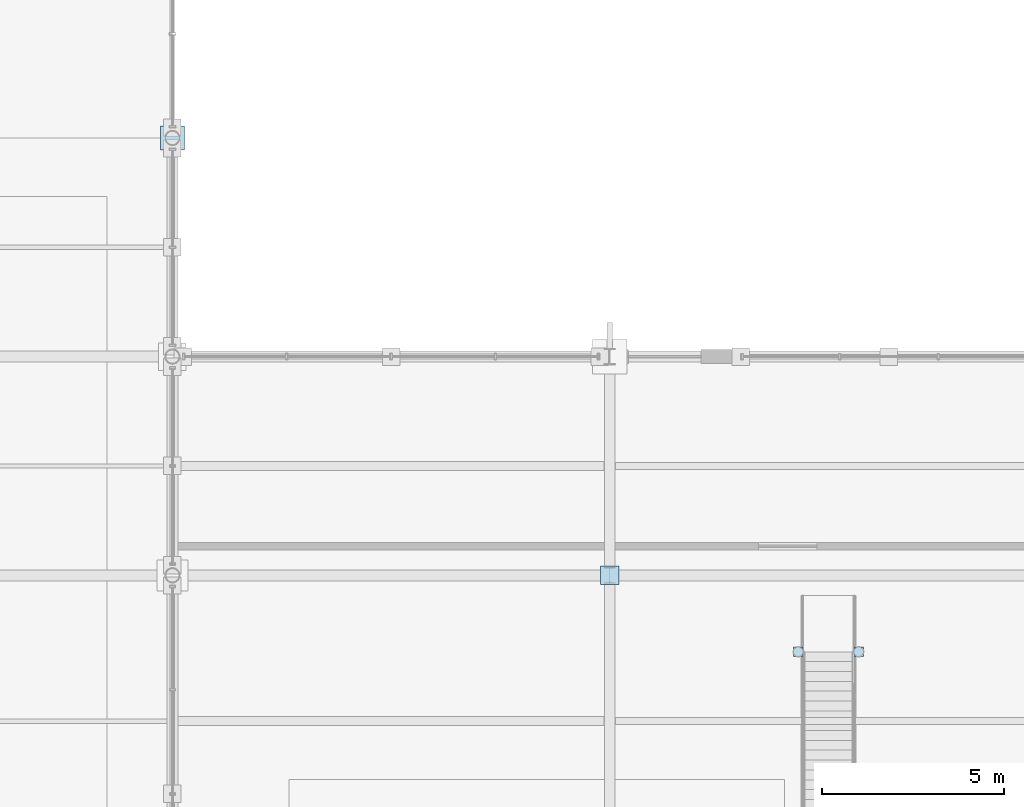
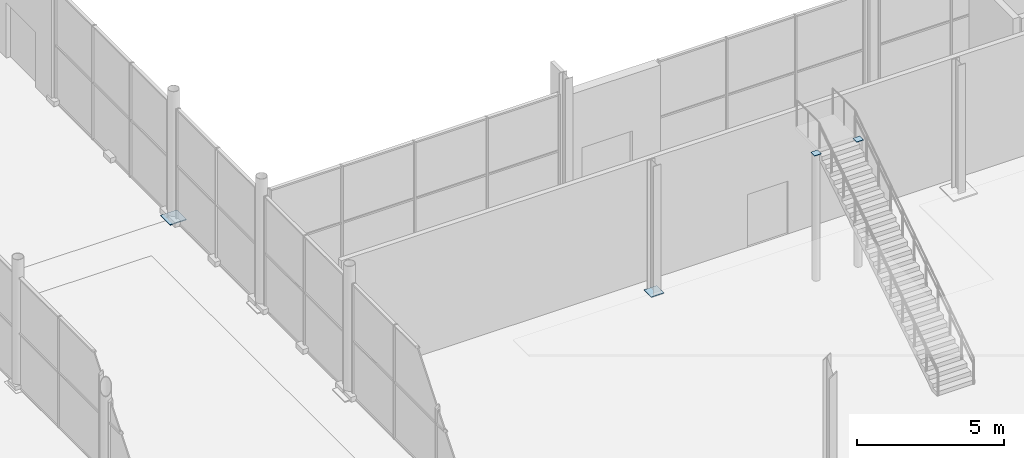
# One storey, part 159 of 196: 4 plates.
"""IFC4 building model written with IfcOpenShell, lengths in metres."""

from ifc_helpers import new_model, si_unit, direction, frame, origin, origin_2d, place, context, subcontext, project, spatial, rectangle, extrude, material, layer, layer_set, type_object, element, save


model = new_model("IFC4")

# Units and contexts
model_context = context("Model", 3, precision=1e-05, world=origin(), true_north=direction((0.0, 1.0)))
body_context = subcontext(model_context, "Body", "Model", "MODEL_VIEW")
ifc_project = project(units=[si_unit("LENGTHUNIT", "METRE"), si_unit("AREAUNIT", "SQUARE_METRE"), si_unit("VOLUMEUNIT", "CUBIC_METRE"), si_unit("PLANEANGLEUNIT", "RADIAN"), si_unit("MASSUNIT", "GRAM", prefix="KILO")], contexts=[model_context])

# Site, building, storey
site_placement = place(None, origin())
site = spatial("IfcSite", under=ifc_project, at=site_placement, CompositionType="ELEMENT")
building_placement = place(site_placement, origin())
building = spatial("IfcBuilding", under=site, at=building_placement, Name="Merenkruunu Market Hall", CompositionType="ELEMENT")
storey_placement = place(building_placement, origin())
storey = spatial("IfcBuildingStorey", under=building, at=storey_placement, Name="L00", CompositionType="ELEMENT", Elevation=0.0)

# Plates
ifc_material = material(Name="Steel S355ML", Category="steel")
ifc_layer_1 = layer(ifc_material, 0.034912109375)
ifc_layer_set_1 = layer_set([ifc_layer_1], Name="Steel S355ML")
plate_type_1 = type_object("IfcPlateType", Name="Column Base Plate BP03", PredefinedType="USERDEFINED", material=ifc_layer_set_1)
plate_1_placement = place(storey_placement, frame((76.800048828125, 51.60009765625, 0.0), z_axis=(0.0, 0.0, 1.0), x_axis=(1.0, 0.0, 0.0)))
element("IfcPlate", 1, at=plate_1_placement, inside=storey, type_object=plate_type_1, Name="PLT-BP-J-07", ObjectType="BASE_PLATE", PredefinedType="USERDEFINED", context=body_context, shape_type="SweptSolid", body=[
    extrude(rectangle(XDim=0.64990234375, YDim=0.64990234375, at=origin_2d()), origin(), (0.0, 0.0, 1.0), 0.034912109375),
])
ifc_layer_2 = layer(ifc_material, 0.028076171875)
ifc_layer_set_2 = layer_set([ifc_layer_2], Name="Steel S355ML")
plate_type_2 = type_object("IfcPlateType", Name="Column Base Plate BP05", PredefinedType="USERDEFINED", material=ifc_layer_set_2)
plate_2_placement = place(storey_placement, frame((88.800048828125, 39.60009765625, 0.0), z_axis=(0.0, 0.0, 1.0), x_axis=(1.0, 0.0, 0.0)))
element("IfcPlate", 2, at=plate_2_placement, inside=storey, type_object=plate_type_2, Name="PLT-BP-K-05", ObjectType="BASE_PLATE", PredefinedType="USERDEFINED", context=body_context, shape_type="SweptSolid", body=[
    extrude(rectangle(XDim=0.5, YDim=0.5, at=origin_2d()), origin(), (0.0, 0.0, 1.0), 0.028076171875),
])
ifc_layer_3 = layer(ifc_material, 0.02001953125)
ifc_layer_set_3 = layer_set([ifc_layer_3], Name="Steel S355ML")
plate_type_3 = type_object("IfcPlateType", Name="Truss Gusset Or Cap Plate CP04", PredefinedType="USERDEFINED", material=ifc_layer_set_3)
for number, where, z_axis, x_axis, name in (
    (3, (93.969970703125, 37.5, 5.22998046875), (0.0, 0.0, 1.0), (1.0, 0.0, 0.0), "PLT-FST-CAP-4-1"),
    (4, (95.6298828125, 37.5, 5.22998046875), (0.0, 0.0, 1.0), (1.0, 0.0, 0.0), "PLT-FST-CAP-4-2"),
):
    element("IfcPlate", number, at=place(storey_placement, frame(where, z_axis=z_axis, x_axis=x_axis)), inside=storey, type_object=plate_type_3, Name=name, ObjectType="GUSSET_PLATE", PredefinedType="USERDEFINED", context=body_context, shape_type="SweptSolid", body=[
        extrude(rectangle(XDim=0.260009765625, YDim=0.260009765625, at=origin_2d()), origin(), (0.0, 0.0, 1.0), 0.02001953125),
    ])

save(model, "model.ifc")
